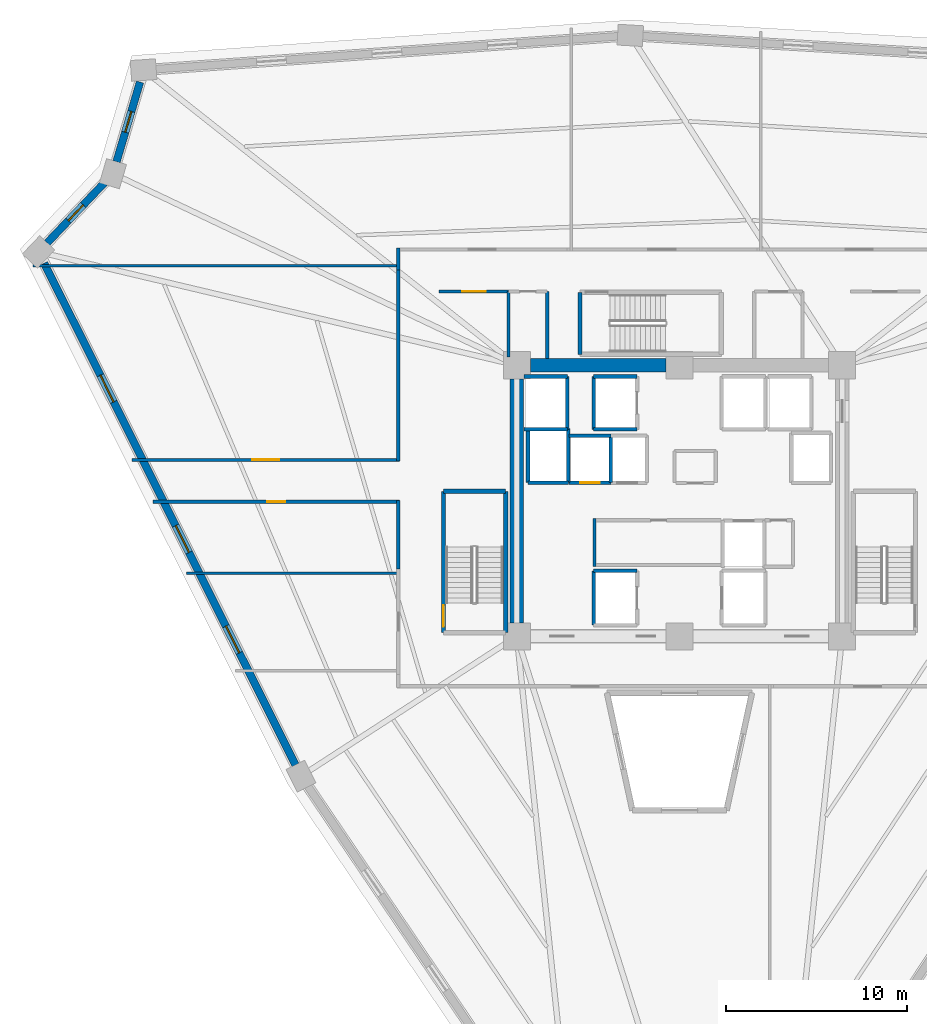
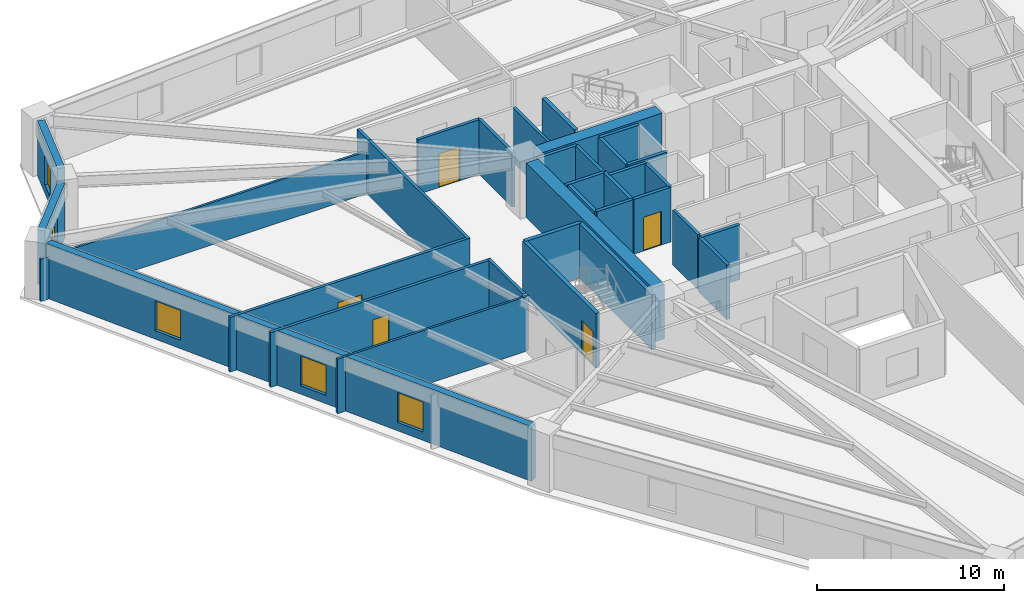
# One storey, part 4 of 8: 34 walls, 5 doors, 5 windows, 10 openings.
"""IFC4 building model written with IfcOpenShell, lengths in metres."""

from ifc_helpers import new_model, si_unit, direction, frame, frame_2d, origin, place, context, subcontext, project, spatial, rectangle, extrude, source, transform, mapped, material, layer, layer_set, type_object, element, fill, save


model = new_model("IFC4")

# Units and contexts
model_context = context("Model", 3, precision=1e-05, world=origin(), true_north=direction((0.0, 1.0)))
body_context = subcontext(model_context, "Body", "Model", "MODEL_VIEW")
ifc_project = project(units=[si_unit("LENGTHUNIT", "METRE"), si_unit("AREAUNIT", "SQUARE_METRE"), si_unit("VOLUMEUNIT", "CUBIC_METRE"), si_unit("PLANEANGLEUNIT", "RADIAN"), si_unit("MASSUNIT", "GRAM", prefix="KILO")], contexts=[model_context])

# Site, building, storey
site_placement = place(None, origin())
site = spatial("IfcSite", under=ifc_project, at=site_placement, CompositionType="ELEMENT")
building_placement = place(site_placement, origin())
building = spatial("IfcBuilding", under=site, at=building_placement, Name="Liaohun Quay Tower", CompositionType="ELEMENT")
storey_placement = place(building_placement, frame((0.0, 0.0, 147.75)))
storey = spatial("IfcBuildingStorey", under=building, at=storey_placement, Name="L38", CompositionType="ELEMENT", Elevation=147.75)

# Walls
ifc_material_1 = material(Name="Concrete C60", Category="concrete")
ifc_layer_1 = layer(ifc_material_1, 0.75, Name="Concrete C60", Category="concrete")
ifc_layer_set_1 = layer_set([ifc_layer_1], Name="Concrete C60")
wall_type_1 = type_object("IfcWallType", Name="WAL-COR-Z2", PredefinedType="SHEAR", material=ifc_layer_set_1)
wall_1_placement = place(storey_placement, frame((51.75, 61.5, 0.0), z_axis=(0.0, 0.0, 1.0), x_axis=(1.0, 0.0, 0.0)))
element("IfcWall", 1, at=wall_1_placement, inside=storey, type_object=wall_type_1, Name="L38 Central Core Shear Wall N-W", PredefinedType="SHEAR", context=body_context, shape_type="SweptSolid", body=[
    extrude(rectangle(XDim=7.5, YDim=0.75, at=frame_2d((3.75, 0.0))), origin(), (0.0, 0.0, 1.0), 3.570068359375),
])
wall_2_placement = place(storey_placement, frame((51.0, 47.25, 0.0), z_axis=(0.0, 0.0, 1.0), x_axis=(0.0, 1.0, 0.0)))
element("IfcWall", 2, at=wall_2_placement, inside=storey, type_object=wall_type_1, Name="L38 Central Core Shear Wall W", PredefinedType="SHEAR", context=body_context, shape_type="SweptSolid", body=[
    extrude(rectangle(XDim=13.5, YDim=0.75, at=frame_2d((6.75, 0.0))), origin(), (0.0, 0.0, 1.0), 3.570068359375),
])

# Wall, opening, window
ifc_material_2 = material(Name="Precast concrete C50 insulated sandwich", Category="concrete")
ifc_layer_2 = layer(ifc_material_2, 0.419921875, Name="Precast concrete C50 insulated sandwich", Category="concrete")
ifc_layer_set_2 = layer_set([ifc_layer_2], Name="Precast concrete C50 insulated sandwich")
wall_type_2 = type_object("IfcWallType", Name="WAL-EXT-Z12", PredefinedType="SOLIDWALL", material=ifc_layer_set_2)
wall_3_placement = place(storey_placement, frame((30.14892578125, 77.175048828125, 0.0), z_axis=(0.0, 0.0, 1.0), x_axis=(-0.282915865334, -0.959144730029, 0.0)))
wall_3 = element("IfcWall", 3, at=wall_3_placement, inside=storey, type_object=wall_type_2, Name="L38 Brutalist Precast Pier Wall 08", PredefinedType="SOLIDWALL", context=body_context, shape_type="SweptSolid", body=[
    extrude(rectangle(XDim=4.60205078125, YDim=0.419921875, at=frame_2d((2.301025390625, 0.0))), origin(), (0.0, 0.0, 1.0), 3.570068359375),
])
shared_shape_1 = source(origin(), body_context, "Body", "SweptSolid", [
    extrude(rectangle(XDim=1.199951171875, YDim=1.89990234375, at=frame_2d((0.60009765625, 0.949951171875))), frame((0.0, 0.219970703125, 0.0), z_axis=(0.0, -1.0, 0.0), x_axis=(1.0, 0.0, 0.0)), (0.0, 0.0, 1.0), 0.43994140625),
])
opening_1_placement = place(wall_3_placement, frame((1.700927734375, 0.0, 0.550048828125)))
opening_1 = element("IfcOpeningElement", 4, at=opening_1_placement, cuts=wall_3, Name="Opening W05", PredefinedType="OPENING", context=body_context, shape_type="MappedRepresentation", body=[
    mapped(shared_shape_1, transform((0.0, 0.0, 0.0), x_axis=(1.0, 0.0, 0.0), y_axis=(0.0, 1.0, 0.0), z_axis=(0.0, 0.0, 1.0), scale=1.0)),
])
ifc_material_3 = material(Name="Triple Low-E corner notch glazing", Category="glass")
window_type_1 = type_object("IfcWindowType", Name="WIN-NOTCH", PartitioningType="SINGLE_PANEL", PredefinedType="WINDOW", material=ifc_material_3)
shared_shape_2 = source(origin(), body_context, "Body", "SweptSolid", [
    extrude(rectangle(XDim=1.199951171875, YDim=1.89990234375, at=frame_2d((0.60009765625, 0.949951171875))), frame((0.0, 0.030029296875, 0.0), z_axis=(0.0, -1.0, 0.0), x_axis=(1.0, 0.0, 0.0)), (0.0, 0.0, 1.0), 0.06005859375),
])
window_1_placement = place(opening_1_placement, origin())
window_1 = element("IfcWindow", 5, at=window_1_placement, inside=storey, type_object=window_type_1, Name="L38 Corner Notch Window W05-08", OverallHeight=1.89990234375, OverallWidth=1.199951171875, PartitioningType="SINGLE_PANEL", PredefinedType="WINDOW", context=body_context, shape_type="MappedRepresentation", body=[
    mapped(shared_shape_2, transform((0.0, 0.0, 0.0), x_axis=(1.0, 0.0, 0.0), y_axis=(0.0, 1.0, 0.0), z_axis=(0.0, 0.0, 1.0), scale=1.0)),
])
fill(opening_1, window_1)

wall_4_placement = place(storey_placement, frame((28.176025390625, 71.59912109375, 0.0), z_axis=(0.0, 0.0, 1.0), x_axis=(-0.689246421926, -0.724526997331, 0.0)))
wall_4 = element("IfcWall", 6, at=wall_4_placement, inside=storey, type_object=wall_type_2, Name="L38 Brutalist Precast Pier Wall 09", PredefinedType="SOLIDWALL", context=body_context, shape_type="SweptSolid", body=[
    extrude(rectangle(XDim=4.594970703125, YDim=0.419921875, at=frame_2d((2.29736328125, 0.0))), origin(), (0.0, 0.0, 1.0), 3.570068359375),
])
opening_2_placement = place(wall_4_placement, frame((1.697021484375, 0.0, 0.550048828125)))
opening_2 = element("IfcOpeningElement", 7, at=opening_2_placement, cuts=wall_4, Name="Opening W05", PredefinedType="OPENING", context=body_context, shape_type="MappedRepresentation", body=[
    mapped(shared_shape_1, transform((0.0, 0.0, 0.0), x_axis=(1.0, 0.0, 0.0), y_axis=(0.0, 1.0, 0.0), z_axis=(0.0, 0.0, 1.0), scale=1.0)),
])
window_2_placement = place(opening_2_placement, origin())
window_2 = element("IfcWindow", 8, at=window_2_placement, inside=storey, type_object=window_type_1, Name="L38 Corner Notch Window W05-09", OverallHeight=1.89990234375, OverallWidth=1.199951171875, PartitioningType="SINGLE_PANEL", PredefinedType="WINDOW", context=body_context, shape_type="MappedRepresentation", body=[
    mapped(shared_shape_2, transform((0.0, 0.0, 0.0), x_axis=(1.0, 0.0, 0.0), y_axis=(0.0, 1.0, 0.0), z_axis=(0.0, 0.0, 1.0), scale=1.0)),
])
fill(opening_2, window_2)

# Wall, openings, windows
wall_5_placement = place(storey_placement, frame((24.842041015625, 67.153076171875, 0.0), z_axis=(0.0, 0.0, 1.0), x_axis=(0.447741761442, -0.894162913043, 0.0)))
wall_5 = element("IfcWall", 9, at=wall_5_placement, inside=storey, type_object=wall_type_2, Name="L38 Brutalist Precast Pier Wall 10", PredefinedType="SOLIDWALL", context=body_context, shape_type="SweptSolid", body=[
    extrude(rectangle(XDim=31.05810546875, YDim=0.419921875, at=frame_2d((15.529052734375, 0.0))), origin(), (0.0, 0.0, 1.0), 3.570068359375),
])
shared_shape_3 = source(origin(), body_context, "Body", "SweptSolid", [
    extrude(rectangle(XDim=1.64990234375, YDim=1.949951171875, at=frame_2d((0.824951171875, 0.97509765625))), frame((0.0, 0.219970703125, 0.0), z_axis=(0.0, -1.0, 0.0), x_axis=(1.0, 0.0, 0.0)), (0.0, 0.0, 1.0), 0.43994140625),
])
opening_3_placement = place(wall_5_placement, frame((6.93994140625, 0.0, 0.550048828125)))
opening_3 = element("IfcOpeningElement", 10, at=opening_3_placement, cuts=wall_5, Name="Opening W02", PredefinedType="OPENING", context=body_context, shape_type="MappedRepresentation", body=[
    mapped(shared_shape_3, transform((0.0, 0.0, 0.0), x_axis=(1.0, 0.0, 0.0), y_axis=(0.0, 1.0, 0.0), z_axis=(0.0, 0.0, 1.0), scale=1.0)),
])
opening_4_placement = place(wall_5_placement, frame((16.25390625, 0.0, 0.550048828125)))
opening_4 = element("IfcOpeningElement", 11, at=opening_4_placement, cuts=wall_5, Name="Opening W02", PredefinedType="OPENING", context=body_context, shape_type="MappedRepresentation", body=[
    mapped(shared_shape_3, transform((0.0, 0.0, 0.0), x_axis=(1.0, 0.0, 0.0), y_axis=(0.0, 1.0, 0.0), z_axis=(0.0, 0.0, 1.0), scale=1.0)),
])
opening_5_placement = place(wall_5_placement, frame((22.468994140625, 0.0, 0.550048828125)))
opening_5 = element("IfcOpeningElement", 12, at=opening_5_placement, cuts=wall_5, Name="Opening W02", PredefinedType="OPENING", context=body_context, shape_type="MappedRepresentation", body=[
    mapped(shared_shape_3, transform((0.0, 0.0, 0.0), x_axis=(1.0, 0.0, 0.0), y_axis=(0.0, 1.0, 0.0), z_axis=(0.0, 0.0, 1.0), scale=1.0)),
])
ifc_material_4 = material(Name="Triple Low-E argon glazing in thermally broken aluminium", Category="aluminium")
window_type_2 = type_object("IfcWindowType", Name="WIN-PUN-Z2", PartitioningType="DOUBLE_PANEL_VERTICAL", PredefinedType="WINDOW", material=ifc_material_4)
shared_shape_4 = source(origin(), body_context, "Body", "SweptSolid", [
    extrude(rectangle(XDim=1.64990234375, YDim=1.949951171875, at=frame_2d((0.824951171875, 0.97509765625))), frame((0.0, 0.030029296875, 0.0), z_axis=(0.0, -1.0, 0.0), x_axis=(1.0, 0.0, 0.0)), (0.0, 0.0, 1.0), 0.06005859375),
])
window_3_placement = place(opening_3_placement, origin())
window_3 = element("IfcWindow", 13, at=window_3_placement, inside=storey, type_object=window_type_2, Name="L38 Recessed Cold-Climate Punched Window 10-1", OverallHeight=1.949951171875, OverallWidth=1.64990234375, PartitioningType="DOUBLE_PANEL_VERTICAL", PredefinedType="WINDOW", context=body_context, shape_type="MappedRepresentation", body=[
    mapped(shared_shape_4, transform((0.0, 0.0, 0.0), x_axis=(1.0, 0.0, 0.0), y_axis=(0.0, 1.0, 0.0), z_axis=(0.0, 0.0, 1.0), scale=1.0)),
])
fill(opening_3, window_3)
window_4_placement = place(opening_4_placement, origin())
window_4 = element("IfcWindow", 14, at=window_4_placement, inside=storey, type_object=window_type_2, Name="L38 Recessed Cold-Climate Punched Window 10-2", OverallHeight=1.949951171875, OverallWidth=1.64990234375, PartitioningType="DOUBLE_PANEL_VERTICAL", PredefinedType="WINDOW", context=body_context, shape_type="MappedRepresentation", body=[
    mapped(shared_shape_4, transform((0.0, 0.0, 0.0), x_axis=(1.0, 0.0, 0.0), y_axis=(0.0, 1.0, 0.0), z_axis=(0.0, 0.0, 1.0), scale=1.0)),
])
fill(opening_4, window_4)
window_5_placement = place(opening_5_placement, origin())
window_5 = element("IfcWindow", 15, at=window_5_placement, inside=storey, type_object=window_type_2, Name="L38 Recessed Cold-Climate Punched Window 10-3", OverallHeight=1.949951171875, OverallWidth=1.64990234375, PartitioningType="DOUBLE_PANEL_VERTICAL", PredefinedType="WINDOW", context=body_context, shape_type="MappedRepresentation", body=[
    mapped(shared_shape_4, transform((0.0, 0.0, 0.0), x_axis=(1.0, 0.0, 0.0), y_axis=(0.0, 1.0, 0.0), z_axis=(0.0, 0.0, 1.0), scale=1.0)),
])
fill(opening_5, window_5)

# Wall, opening, door
ifc_material_5 = material(Name="Autoclaved aerated concrete blockwork", Category="masonry")
ifc_layer_3 = layer(ifc_material_5, 0.179931640625, Name="Autoclaved aerated concrete blockwork", Category="masonry")
ifc_layer_set_3 = layer_set([ifc_layer_3], Name="Autoclaved aerated concrete blockwork")
wall_type_3 = type_object("IfcWallType", Name="WAL-PRT-COR", PredefinedType="PARTITIONING", material=ifc_layer_set_3)
wall_6_placement = place(storey_placement, frame((46.699951171875, 65.580078125, 0.0), z_axis=(0.0, 0.0, 1.0), x_axis=(1.0, 0.0, 0.0)))
wall_6 = element("IfcWall", 16, at=wall_6_placement, inside=storey, type_object=wall_type_3, Name="L38 Interior Partition Wall 009", PredefinedType="PARTITIONING", context=body_context, shape_type="SweptSolid", body=[
    extrude(rectangle(XDim=3.840087890625, YDim=0.179931640625, at=frame_2d((1.919921875, 0.0))), origin(), (0.0, 0.0, 1.0), 3.570068359375),
])
shared_shape_5 = source(origin(), body_context, "Body", "SweptSolid", [
    extrude(rectangle(XDim=1.300048828125, YDim=2.199951171875, at=frame_2d((0.64990234375, 1.10009765625))), frame((0.0, 0.099853515625, 0.0), z_axis=(0.0, -1.0, 0.0), x_axis=(1.0, 0.0, 0.0)), (0.0, 0.0, 1.0), 0.199951171875),
])
opening_6_placement = place(wall_6_placement, frame((1.27001953125, 0.0, 0.0)))
opening_6 = element("IfcOpeningElement", 17, at=opening_6_placement, cuts=wall_6, Name="Opening FD1", PredefinedType="OPENING", context=body_context, shape_type="MappedRepresentation", body=[
    mapped(shared_shape_5, transform((0.0, 0.0, 0.0), x_axis=(1.0, 0.0, 0.0), y_axis=(0.0, 1.0, 0.0), z_axis=(0.0, 0.0, 1.0), scale=1.0)),
])
ifc_material_6 = material(Name="Galvanised steel smokeproof fire door", Category="steel")
door_type_1 = type_object("IfcDoorType", Name="DOR-FFL-1300", OperationType="NOTDEFINED", PredefinedType="DOOR", material=ifc_material_6)
shared_shape_6 = source(origin(), body_context, "Body", "SweptSolid", [
    extrude(rectangle(XDim=1.300048828125, YDim=2.199951171875, at=frame_2d((0.64990234375, 1.10009765625))), frame((0.0, 0.02490234375, 0.0), z_axis=(0.0, -1.0, 0.0), x_axis=(1.0, 0.0, 0.0)), (0.0, 0.0, 1.0), 0.050048828125),
])
door_1_placement = place(opening_6_placement, origin())
door_1 = element("IfcDoor", 18, at=door_1_placement, inside=storey, type_object=door_type_1, Name="L38 West Core Vestibule Door", OperationType="SINGLE_SWING_LEFT", OverallHeight=2.199951171875, OverallWidth=1.300048828125, PredefinedType="DOOR", context=body_context, shape_type="MappedRepresentation", body=[
    mapped(shared_shape_6, transform((0.0, 0.0, 0.0), x_axis=(1.0, 0.0, 0.0), y_axis=(0.0, 1.0, 0.0), z_axis=(0.0, 0.0, 1.0), scale=1.0)),
])
fill(opening_6, door_1)

wall_7_placement = place(storey_placement, frame((29.700927734375, 56.260009765625, 0.0), z_axis=(0.0, 0.0, 1.0), x_axis=(1.0, 0.0, 0.0)))
wall_7 = element("IfcWall", 19, at=wall_7_placement, inside=storey, type_object=wall_type_3, Name="L38 Interior Partition Wall 015", PredefinedType="PARTITIONING", context=body_context, shape_type="SweptSolid", body=[
    extrude(rectangle(XDim=14.80908203125, YDim=0.179931640625, at=frame_2d((7.404541015625, 0.0))), origin(), (0.0, 0.0, 1.0), 3.570068359375),
])
shared_shape_7 = source(origin(), body_context, "Body", "SweptSolid", [
    extrude(rectangle(XDim=1.5, YDim=2.199951171875, at=frame_2d((0.75, 1.10009765625))), frame((0.0, 0.099853515625, 0.0), z_axis=(0.0, -1.0, 0.0), x_axis=(1.0, 0.0, 0.0)), (0.0, 0.0, 1.0), 0.199951171875),
])
opening_7_placement = place(wall_7_placement, frame((6.654052734375, 0.0, 0.0)))
opening_7 = element("IfcOpeningElement", 20, at=opening_7_placement, cuts=wall_7, Name="Opening OD2", PredefinedType="OPENING", context=body_context, shape_type="MappedRepresentation", body=[
    mapped(shared_shape_7, transform((0.0, 0.0, 0.0), x_axis=(1.0, 0.0, 0.0), y_axis=(0.0, 1.0, 0.0), z_axis=(0.0, 0.0, 1.0), scale=1.0)),
])
ifc_material_7 = material(Name="Acoustic oak veneer double door")
door_type_2 = type_object("IfcDoorType", Name="DOR-OFF-1500", OperationType="DOUBLE_DOOR_SINGLE_SWING", PredefinedType="DOOR", material=ifc_material_7)
shared_shape_8 = source(origin(), body_context, "Body", "SweptSolid", [
    extrude(rectangle(XDim=1.5, YDim=2.199951171875, at=frame_2d((0.75, 1.10009765625))), frame((0.0, 0.02490234375, 0.0), z_axis=(0.0, -1.0, 0.0), x_axis=(1.0, 0.0, 0.0)), (0.0, 0.0, 1.0), 0.050048828125),
])
door_2_placement = place(opening_7_placement, origin())
door_2 = element("IfcDoor", 21, at=door_2_placement, inside=storey, type_object=door_type_2, Name="L38 Occupational Wellness Clinic 05 Door", OperationType="DOUBLE_DOOR_SINGLE_SWING", OverallHeight=2.199951171875, OverallWidth=1.5, PredefinedType="DOOR", context=body_context, shape_type="MappedRepresentation", body=[
    mapped(shared_shape_8, transform((0.0, 0.0, 0.0), x_axis=(1.0, 0.0, 0.0), y_axis=(0.0, 1.0, 0.0), z_axis=(0.0, 0.0, 1.0), scale=1.0)),
])
fill(opening_7, door_2)

wall_8_placement = place(storey_placement, frame((44.510009765625, 53.93994140625, 0.0), z_axis=(0.0, 0.0, 1.0), x_axis=(-1.0, 0.0, 0.0)))
wall_8 = element("IfcWall", 22, at=wall_8_placement, inside=storey, type_object=wall_type_3, Name="L38 Interior Partition Wall 016", PredefinedType="PARTITIONING", context=body_context, shape_type="SweptSolid", body=[
    extrude(rectangle(XDim=13.64697265625, YDim=0.179931640625, at=frame_2d((6.823486328125, 0.0))), origin(), (0.0, 0.0, 1.0), 3.570068359375),
])
shared_shape_9 = source(origin(), body_context, "Body", "SweptSolid", [
    extrude(rectangle(XDim=1.0, YDim=2.199951171875, at=frame_2d((0.5, 1.10009765625))), frame((0.0, 0.099853515625, 0.0), z_axis=(0.0, -1.0, 0.0), x_axis=(1.0, 0.0, 0.0)), (0.0, 0.0, 1.0), 0.199951171875),
])
opening_8_placement = place(wall_8_placement, frame((6.322998046875, 0.0, 0.0)))
opening_8 = element("IfcOpeningElement", 23, at=opening_8_placement, cuts=wall_8, Name="Opening OD1", PredefinedType="OPENING", context=body_context, shape_type="MappedRepresentation", body=[
    mapped(shared_shape_9, transform((0.0, 0.0, 0.0), x_axis=(1.0, 0.0, 0.0), y_axis=(0.0, 1.0, 0.0), z_axis=(0.0, 0.0, 1.0), scale=1.0)),
])
ifc_material_8 = material(Name="Solid-core oak veneer timber leaf in steel frame", Category="steel")
door_type_3 = type_object("IfcDoorType", Name="DOR-OFF-1000", OperationType="NOTDEFINED", PredefinedType="DOOR", material=ifc_material_8)
shared_shape_10 = source(origin(), body_context, "Body", "SweptSolid", [
    extrude(rectangle(XDim=1.0, YDim=2.199951171875, at=frame_2d((0.5, 1.10009765625))), frame((0.0, 0.02490234375, 0.0), z_axis=(0.0, -1.0, 0.0), x_axis=(1.0, 0.0, 0.0)), (0.0, 0.0, 1.0), 0.050048828125),
])
door_3_placement = place(opening_8_placement, origin())
door_3 = element("IfcDoor", 24, at=door_3_placement, inside=storey, type_object=door_type_3, Name="L38 Staff Tea Kitchen and Pantry 06 Door", OperationType="SINGLE_SWING_RIGHT", OverallHeight=2.199951171875, OverallWidth=1.0, PredefinedType="DOOR", context=body_context, shape_type="MappedRepresentation", body=[
    mapped(shared_shape_10, transform((0.0, 0.0, 0.0), x_axis=(1.0, 0.0, 0.0), y_axis=(0.0, 1.0, 0.0), z_axis=(0.0, 0.0, 1.0), scale=1.0)),
])
fill(opening_8, door_3)

# Walls
wall_9_placement = place(storey_placement, frame((50.5400390625, 61.949951171875, 0.0), z_axis=(0.0, 0.0, 1.0), x_axis=(0.0, 1.0, 0.0)))
element("IfcWall", 25, at=wall_9_placement, inside=storey, type_object=wall_type_3, Name="L38 Interior Partition Wall 032", PredefinedType="PARTITIONING", context=body_context, shape_type="SweptSolid", body=[
    extrude(rectangle(XDim=3.630126953125, YDim=0.179931640625, at=frame_2d((1.81494140625, 0.0))), origin(), (0.0, 0.0, 1.0), 3.570068359375),
])
wall_10_placement = place(storey_placement, frame((52.679931640625, 61.875, 0.0), z_axis=(0.0, 0.0, 1.0), x_axis=(0.0, 1.0, 0.0)))
element("IfcWall", 26, at=wall_10_placement, inside=storey, type_object=wall_type_3, Name="L38 Interior Partition Wall 033", PredefinedType="PARTITIONING", context=body_context, shape_type="SweptSolid", body=[
    extrude(rectangle(XDim=3.705078125, YDim=0.179931640625, at=frame_2d((1.8525390625, 0.0))), origin(), (0.0, 0.0, 1.0), 3.570068359375),
])
wall_11_placement = place(storey_placement, frame((44.43994140625, 66.784912109375, 0.0), z_axis=(0.0, 0.0, 1.0), x_axis=(0.0, 1.0, 0.0)))
element("IfcWall", 27, at=wall_11_placement, inside=storey, type_object=wall_type_3, Name="L38 Interior Partition Wall 038", PredefinedType="PARTITIONING", context=body_context, shape_type="SweptSolid", body=[
    extrude(rectangle(XDim=1.195068359375, YDim=0.179931640625, at=frame_2d((0.59765625, 0.0))), origin(), (0.0, 0.0, 1.0), 3.570068359375),
])
wall_12_placement = place(storey_placement, frame((44.43994140625, 56.18994140625, 0.0), z_axis=(0.0, 0.0, 1.0), x_axis=(0.0, 1.0, 0.0)))
element("IfcWall", 28, at=wall_12_placement, inside=storey, type_object=wall_type_3, Name="L38 Interior Partition Wall 039", PredefinedType="PARTITIONING", context=body_context, shape_type="SweptSolid", body=[
    extrude(rectangle(XDim=10.594970703125, YDim=0.179931640625, at=frame_2d((5.29736328125, 0.0))), origin(), (0.0, 0.0, 1.0), 3.570068359375),
])
wall_13_placement = place(storey_placement, frame((44.43994140625, 50.215087890625, 0.0), z_axis=(0.0, 0.0, 1.0), x_axis=(0.0, 1.0, 0.0)))
element("IfcWall", 29, at=wall_13_placement, inside=storey, type_object=wall_type_3, Name="L38 Interior Partition Wall 040", PredefinedType="PARTITIONING", context=body_context, shape_type="SweptSolid", body=[
    extrude(rectangle(XDim=3.794921875, YDim=0.179931640625, at=frame_2d((1.8974609375, 0.0))), origin(), (0.0, 0.0, 1.0), 3.570068359375),
])
wall_14_placement = place(storey_placement, frame((55.300048828125, 50.360107421875, 0.0), z_axis=(0.0, 0.0, 1.0), x_axis=(0.0, 1.0, 0.0)))
element("IfcWall", 30, at=wall_14_placement, inside=storey, type_object=wall_type_3, Name="L38 Interior Partition Wall 054", PredefinedType="PARTITIONING", context=body_context, shape_type="SweptSolid", body=[
    extrude(rectangle(XDim=2.64990234375, YDim=0.179931640625, at=frame_2d((1.324951171875, 0.0))), origin(), (0.0, 0.0, 1.0), 3.570068359375),
])
ifc_material_9 = material(Name="Gypsum board on twin steel studs", Category="steel")
ifc_layer_4 = layer(ifc_material_9, 0.139892578125, Name="Gypsum board on twin steel studs", Category="steel")
ifc_layer_set_4 = layer_set([ifc_layer_4], Name="Gypsum board on twin steel studs")
wall_type_4 = type_object("IfcWallType", Name="WAL-PRT-OFF", PredefinedType="PARTITIONING", material=ifc_layer_set_4)
wall_15_placement = place(storey_placement, frame((44.5400390625, 50.0, 0.0), z_axis=(0.0, 0.0, 1.0), x_axis=(-1.0, 0.0, 0.0)))
element("IfcWall", 31, at=wall_15_placement, inside=storey, type_object=wall_type_4, Name="L38 Interior Partition Wall 045", PredefinedType="PARTITIONING", context=body_context, shape_type="SweptSolid", body=[
    extrude(rectangle(XDim=11.81298828125, YDim=0.139892578125, at=frame_2d((5.906494140625, 0.0))), origin(), (0.0, 0.0, 1.0), 3.570068359375),
])
wall_16_placement = place(storey_placement, frame((44.5400390625, 67.0, 0.0), z_axis=(0.0, 0.0, 1.0), x_axis=(-1.0, 0.0, 0.0)))
element("IfcWall", 32, at=wall_16_placement, inside=storey, type_object=wall_type_4, Name="L38 Interior Partition Wall 046", PredefinedType="PARTITIONING", context=body_context, shape_type="SweptSolid", body=[
    extrude(rectangle(XDim=20.325927734375, YDim=0.139892578125, at=frame_2d((10.1630859375, 0.0))), origin(), (0.0, 0.0, 1.0), 2.7548828125),
])
ifc_material_10 = material(Name="Concrete C50", Category="concrete")
ifc_layer_5 = layer(ifc_material_10, 0.239990234375, Name="Concrete C50", Category="concrete")
ifc_layer_set_5 = layer_set([ifc_layer_5], Name="Concrete C50")
wall_type_5 = type_object("IfcWallType", Name="WAL-SHF-200", PredefinedType="SOLIDWALL", material=ifc_layer_set_5)
wall_17_placement = place(storey_placement, frame((50.3798828125, 46.699951171875, 0.0), z_axis=(0.0, 0.0, 1.0), x_axis=(0.0, 1.0, 0.0)))
element("IfcWall", 33, at=wall_17_placement, inside=storey, type_object=wall_type_5, Name="L38 Stairwell ST-1 Structural Core Wall E", PredefinedType="SOLIDWALL", context=body_context, shape_type="SweptSolid", body=[
    extrude(rectangle(XDim=7.820068359375, YDim=0.239990234375, at=frame_2d((3.91015625, 0.0))), origin(), (0.0, 0.0, 1.0), 3.570068359375),
])
wall_18_placement = place(storey_placement, frame((50.3798828125, 54.52001953125, 0.0), z_axis=(0.0, 0.0, 1.0), x_axis=(-1.0, 0.0, 0.0)))
element("IfcWall", 34, at=wall_18_placement, inside=storey, type_object=wall_type_5, Name="L38 Stairwell ST-1 Structural Core Wall N", PredefinedType="SOLIDWALL", context=body_context, shape_type="SweptSolid", body=[
    extrude(rectangle(XDim=3.43994140625, YDim=0.239990234375, at=frame_2d((1.719970703125, 0.0))), origin(), (0.0, 0.0, 1.0), 3.570068359375),
])

# Wall, opening, door
wall_19_placement = place(storey_placement, frame((46.93994140625, 54.52001953125, 0.0), z_axis=(0.0, 0.0, 1.0), x_axis=(0.0, -1.0, 0.0)))
wall_19 = element("IfcWall", 35, at=wall_19_placement, inside=storey, type_object=wall_type_5, Name="L38 Stairwell ST-1 Structural Core Wall W", PredefinedType="SOLIDWALL", context=body_context, shape_type="SweptSolid", body=[
    extrude(rectangle(XDim=7.820068359375, YDim=0.239990234375, at=frame_2d((3.91015625, 0.0))), origin(), (0.0, 0.0, 1.0), 3.570068359375),
])
shared_shape_11 = source(origin(), body_context, "Body", "SweptSolid", [
    extrude(rectangle(XDim=1.199951171875, YDim=2.199951171875, at=frame_2d((0.60009765625, 1.10009765625))), frame((0.0, 0.1298828125, 0.0), z_axis=(0.0, -1.0, 0.0), x_axis=(1.0, 0.0, 0.0)), (0.0, 0.0, 1.0), 0.260009765625),
])
opening_9_placement = place(wall_19_placement, frame((6.300048828125, 0.0, 0.0)))
opening_9 = element("IfcOpeningElement", 36, at=opening_9_placement, cuts=wall_19, Name="Opening SD1", PredefinedType="OPENING", context=body_context, shape_type="MappedRepresentation", body=[
    mapped(shared_shape_11, transform((0.0, 0.0, 0.0), x_axis=(1.0, 0.0, 0.0), y_axis=(0.0, 1.0, 0.0), z_axis=(0.0, 0.0, 1.0), scale=1.0)),
])
ifc_material_11 = material(Name="Galvanised steel fire door", Category="steel")
door_type_4 = type_object("IfcDoorType", Name="DOR-STR-1200", OperationType="NOTDEFINED", PredefinedType="DOOR", material=ifc_material_11)
shared_shape_12 = source(origin(), body_context, "Body", "SweptSolid", [
    extrude(rectangle(XDim=1.199951171875, YDim=2.199951171875, at=frame_2d((0.60009765625, 1.10009765625))), frame((0.0, 0.02490234375, 0.0), z_axis=(0.0, -1.0, 0.0), x_axis=(1.0, 0.0, 0.0)), (0.0, 0.0, 1.0), 0.050048828125),
])
door_4_placement = place(opening_9_placement, origin())
door_4 = element("IfcDoor", 37, at=door_4_placement, inside=storey, type_object=door_type_4, Name="L38 Protected Stair ST-1 Fire Door", OperationType="SINGLE_SWING_LEFT", OverallHeight=2.199951171875, OverallWidth=1.199951171875, PredefinedType="DOOR", context=body_context, shape_type="MappedRepresentation", body=[
    mapped(shared_shape_12, transform((0.0, 0.0, 0.0), x_axis=(1.0, 0.0, 0.0), y_axis=(0.0, 1.0, 0.0), z_axis=(0.0, 0.0, 1.0), scale=1.0)),
])
fill(opening_9, door_4)

# Walls
wall_20_placement = place(storey_placement, frame((54.5, 65.5400390625, 0.0), z_axis=(0.0, 0.0, 1.0), x_axis=(0.0, -1.0, 0.0)))
element("IfcWall", 38, at=wall_20_placement, inside=storey, type_object=wall_type_5, Name="L38 Stairwell ST-3 Structural Core Wall W", PredefinedType="SOLIDWALL", context=body_context, shape_type="SweptSolid", body=[
    extrude(rectangle(XDim=3.43994140625, YDim=0.239990234375, at=frame_2d((1.719970703125, 0.0))), origin(), (0.0, 0.0, 1.0), 3.570068359375),
])
wall_21_placement = place(storey_placement, frame((57.64990234375, 50.1201171875, 0.0), z_axis=(0.0, 0.0, 1.0), x_axis=(-1.0, 0.0, 0.0)))
element("IfcWall", 39, at=wall_21_placement, inside=storey, type_object=wall_type_5, Name="L38 Lift FF-01 Hoistway Wall N", PredefinedType="SOLIDWALL", context=body_context, shape_type="SweptSolid", body=[
    extrude(rectangle(XDim=2.39990234375, YDim=0.199951171875, at=frame_2d((1.199951171875, 0.0))), origin(), (0.0, 0.0, 1.0), 3.570068359375),
])
wall_22_placement = place(storey_placement, frame((55.25, 50.1201171875, 0.0), z_axis=(0.0, 0.0, 1.0), x_axis=(0.0, -1.0, 0.0)))
element("IfcWall", 40, at=wall_22_placement, inside=storey, type_object=wall_type_5, Name="L38 Lift FF-01 Hoistway Wall W", PredefinedType="SOLIDWALL", context=body_context, shape_type="SweptSolid", body=[
    extrude(rectangle(XDim=3.0, YDim=0.199951171875, at=frame_2d((1.5, 0.0))), origin(), (0.0, 0.0, 1.0), 3.570068359375),
])
for number, where, z_axis, x_axis, name in (
    (41, (55.25, 57.949951171875, 0.0), (0.0, 0.0, 1.0), (1.0, 0.0, 0.0), "L38 Lift FF-03 Hoistway Wall S"),
    (42, (57.64990234375, 60.8798828125, 0.0), (0.0, 0.0, 1.0), (-1.0, 0.0, 0.0), "L38 Lift FF-03 Hoistway Wall N"),
):
    element("IfcWall", number, at=place(storey_placement, frame(where, z_axis=z_axis, x_axis=x_axis)), inside=storey, type_object=wall_type_5, Name=name, PredefinedType="SOLIDWALL", context=body_context, shape_type="SweptSolid", body=[
        extrude(rectangle(XDim=2.39990234375, YDim=0.199951171875, at=frame_2d((1.199951171875, 0.0))), origin(), (0.0, 0.0, 1.0), 3.570068359375),
    ])
wall_23_placement = place(storey_placement, frame((55.25, 60.8798828125, 0.0), z_axis=(0.0, 0.0, 1.0), x_axis=(0.0, -1.0, 0.0)))
element("IfcWall", 43, at=wall_23_placement, inside=storey, type_object=wall_type_5, Name="L38 Lift FF-03 Hoistway Wall W", PredefinedType="SOLIDWALL", context=body_context, shape_type="SweptSolid", body=[
    extrude(rectangle(XDim=2.929931640625, YDim=0.199951171875, at=frame_2d((1.46484375, 0.0))), origin(), (0.0, 0.0, 1.0), 3.570068359375),
])
wall_24_placement = place(storey_placement, frame((51.39990234375, 57.949951171875, 0.0), z_axis=(0.0, 0.0, 1.0), x_axis=(1.0, 0.0, 0.0)))
element("IfcWall", 44, at=wall_24_placement, inside=storey, type_object=wall_type_5, Name="L38 Lift SH-01 Hoistway Wall S", PredefinedType="SOLIDWALL", context=body_context, shape_type="SweptSolid", body=[
    extrude(rectangle(XDim=2.400146484375, YDim=0.199951171875, at=frame_2d((1.2001953125, 0.0))), origin(), (0.0, 0.0, 1.0), 3.570068359375),
])
wall_25_placement = place(storey_placement, frame((53.800048828125, 57.949951171875, 0.0), z_axis=(0.0, 0.0, 1.0), x_axis=(0.0, 1.0, 0.0)))
element("IfcWall", 45, at=wall_25_placement, inside=storey, type_object=wall_type_5, Name="L38 Lift SH-01 Hoistway Wall E", PredefinedType="SOLIDWALL", context=body_context, shape_type="SweptSolid", body=[
    extrude(rectangle(XDim=2.929931640625, YDim=0.199951171875, at=frame_2d((1.46484375, 0.0))), origin(), (0.0, 0.0, 1.0), 3.570068359375),
])
wall_26_placement = place(storey_placement, frame((53.800048828125, 60.8798828125, 0.0), z_axis=(0.0, 0.0, 1.0), x_axis=(-1.0, 0.0, 0.0)))
element("IfcWall", 46, at=wall_26_placement, inside=storey, type_object=wall_type_5, Name="L38 Lift SH-01 Hoistway Wall N", PredefinedType="SOLIDWALL", context=body_context, shape_type="SweptSolid", body=[
    extrude(rectangle(XDim=2.400146484375, YDim=0.199951171875, at=frame_2d((1.2001953125, 0.0))), origin(), (0.0, 0.0, 1.0), 3.570068359375),
])
wall_27_placement = place(storey_placement, frame((51.6201171875, 55.0, 0.0), z_axis=(0.0, 0.0, 1.0), x_axis=(1.0, 0.0, 0.0)))
element("IfcWall", 47, at=wall_27_placement, inside=storey, type_object=wall_type_5, Name="L38 Lift SH-02 Hoistway Wall S", PredefinedType="SOLIDWALL", context=body_context, shape_type="SweptSolid", body=[
    extrude(rectangle(XDim=2.22998046875, YDim=0.199951171875, at=frame_2d((1.114990234375, 0.0))), origin(), (0.0, 0.0, 1.0), 3.570068359375),
])
for number, where, z_axis, x_axis, name in (
    (48, (53.85009765625, 55.0, 0.0), (0.0, 0.0, 1.0), (0.0, 1.0, 0.0), "L38 Lift SH-02 Hoistway Wall E"),
    (49, (51.6201171875, 58.0, 0.0), (0.0, 0.0, 1.0), (0.0, -1.0, 0.0), "L38 Lift SH-02 Hoistway Wall W"),
):
    element("IfcWall", number, at=place(storey_placement, frame(where, z_axis=z_axis, x_axis=x_axis)), inside=storey, type_object=wall_type_5, Name=name, PredefinedType="SOLIDWALL", context=body_context, shape_type="SweptSolid", body=[
        extrude(rectangle(XDim=3.0, YDim=0.199951171875, at=frame_2d((1.5, 0.0))), origin(), (0.0, 0.0, 1.0), 3.570068359375),
    ])

# Wall, opening, door
wall_28_placement = place(storey_placement, frame((53.89990234375, 55.0, 0.0), z_axis=(0.0, 0.0, 1.0), x_axis=(1.0, 0.0, 0.0)))
wall_28 = element("IfcWall", 50, at=wall_28_placement, inside=storey, type_object=wall_type_5, Name="L38 Lift PL-2B Hoistway Wall S", PredefinedType="SOLIDWALL", context=body_context, shape_type="SweptSolid", body=[
    extrude(rectangle(XDim=2.300048828125, YDim=0.199951171875, at=frame_2d((1.14990234375, 0.0))), origin(), (0.0, 0.0, 1.0), 3.570068359375),
])
shared_shape_13 = source(origin(), body_context, "Body", "SweptSolid", [
    extrude(rectangle(XDim=1.10009765625, YDim=2.199951171875, at=frame_2d((0.550048828125, 1.10009765625))), frame((0.0, 0.10986328125, 0.0), z_axis=(0.0, -1.0, 0.0), x_axis=(1.0, 0.0, 0.0)), (0.0, 0.0, 1.0), 0.219970703125),
])
opening_10_placement = place(wall_28_placement, frame((0.60009765625, 0.0, 0.0)))
opening_10 = element("IfcOpeningElement", 51, at=opening_10_placement, cuts=wall_28, Name="Opening LD1", PredefinedType="OPENING", context=body_context, shape_type="MappedRepresentation", body=[
    mapped(shared_shape_13, transform((0.0, 0.0, 0.0), x_axis=(1.0, 0.0, 0.0), y_axis=(0.0, 1.0, 0.0), z_axis=(0.0, 0.0, 1.0), scale=1.0)),
])
ifc_material_12 = material(Name="Brushed stainless steel landing door", Category="steel")
door_type_5 = type_object("IfcDoorType", Name="DOR-LFT-1100", OperationType="SLIDING_TO_LEFT", PredefinedType="DOOR", material=ifc_material_12)
shared_shape_14 = source(origin(), body_context, "Body", "SweptSolid", [
    extrude(rectangle(XDim=1.10009765625, YDim=2.199951171875, at=frame_2d((0.550048828125, 1.10009765625))), frame((0.0, 0.02490234375, 0.0), z_axis=(0.0, -1.0, 0.0), x_axis=(1.0, 0.0, 0.0)), (0.0, 0.0, 1.0), 0.050048828125),
])
door_5_placement = place(opening_10_placement, origin())
door_5 = element("IfcDoor", 52, at=door_5_placement, inside=storey, type_object=door_type_5, Name="L38 Lift PL-2B Sliding Landing Door", OperationType="SLIDING_TO_LEFT", OverallHeight=2.199951171875, OverallWidth=1.10009765625, PredefinedType="DOOR", context=body_context, shape_type="MappedRepresentation", body=[
    mapped(shared_shape_14, transform((0.0, 0.0, 0.0), x_axis=(1.0, 0.0, 0.0), y_axis=(0.0, 1.0, 0.0), z_axis=(0.0, 0.0, 1.0), scale=1.0)),
])
fill(opening_10, door_5)

# Walls
wall_29_placement = place(storey_placement, frame((56.199951171875, 55.0, 0.0), z_axis=(0.0, 0.0, 1.0), x_axis=(0.0, 1.0, 0.0)))
element("IfcWall", 53, at=wall_29_placement, inside=storey, type_object=wall_type_5, Name="L38 Lift PL-2B Hoistway Wall E", PredefinedType="SOLIDWALL", context=body_context, shape_type="SweptSolid", body=[
    extrude(rectangle(XDim=2.60009765625, YDim=0.199951171875, at=frame_2d((1.300048828125, 0.0))), origin(), (0.0, 0.0, 1.0), 3.570068359375),
])
wall_30_placement = place(storey_placement, frame((56.199951171875, 57.60009765625, 0.0), z_axis=(0.0, 0.0, 1.0), x_axis=(-1.0, 0.0, 0.0)))
element("IfcWall", 54, at=wall_30_placement, inside=storey, type_object=wall_type_5, Name="L38 Lift PL-2B Hoistway Wall N", PredefinedType="SOLIDWALL", context=body_context, shape_type="SweptSolid", body=[
    extrude(rectangle(XDim=2.300048828125, YDim=0.199951171875, at=frame_2d((1.14990234375, 0.0))), origin(), (0.0, 0.0, 1.0), 3.570068359375),
])

save(model, "model.ifc")
